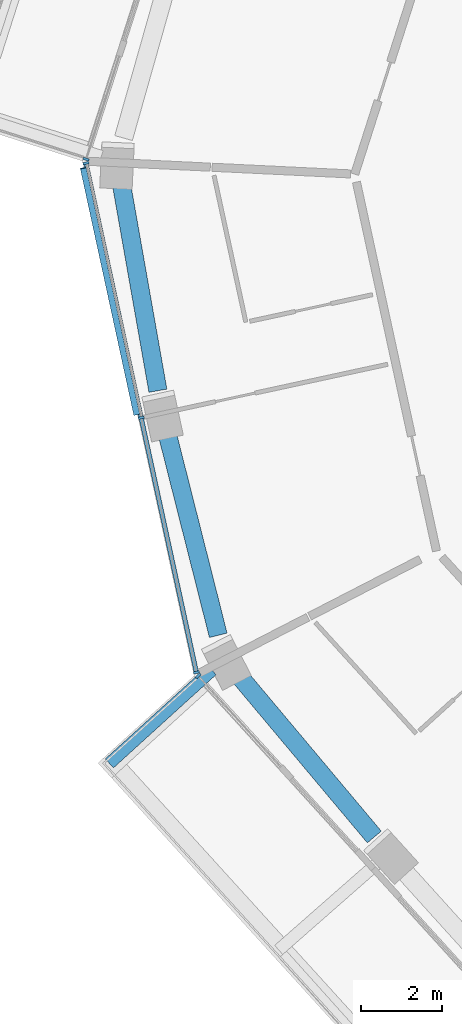
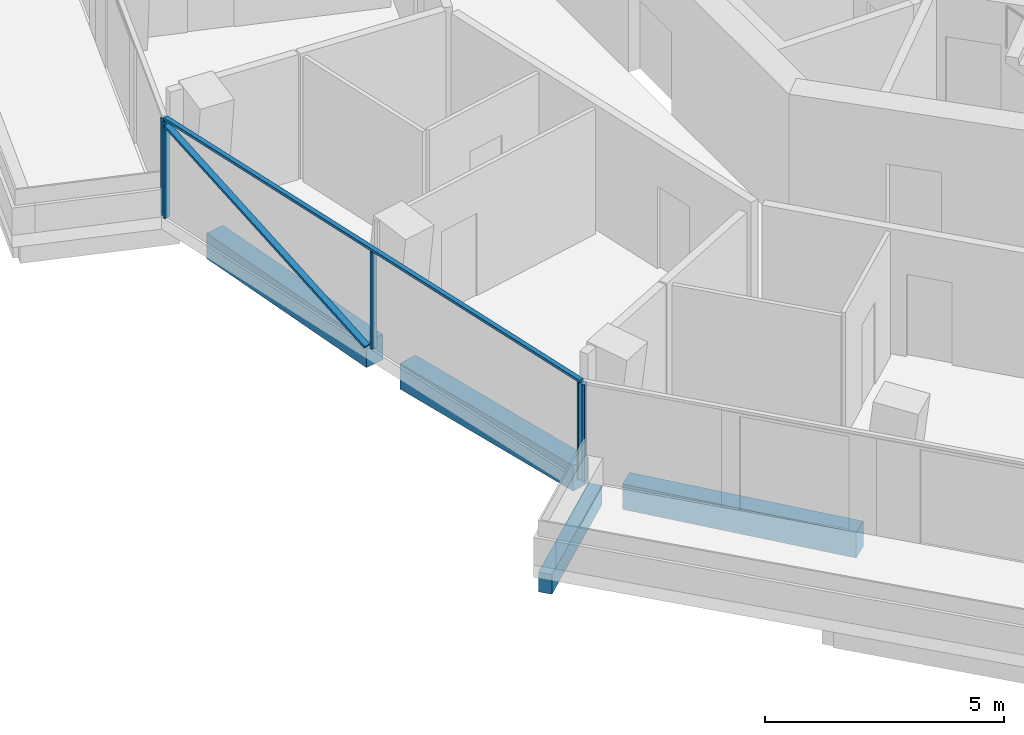
# One storey, part 3 of 23: 7 members, 4 beams, 3 elements without a shape of their own.
"""IFC4 building model written with IfcOpenShell, lengths in metres."""

from ifc_helpers import new_model, si_unit, direction, frame, origin, origin_2d, place, context, subcontext, project, spatial, rectangle, extrude, material, layer, layer_set, material_profile, profile_set, type_object, element, aggregate, save


model = new_model("IFC4")

# Units and contexts
model_context = context("Model", 3, precision=1e-05, world=origin(), true_north=direction((0.0, 1.0)))
body_context = subcontext(model_context, "Body", "Model", "MODEL_VIEW")
ifc_project = project(units=[si_unit("LENGTHUNIT", "METRE"), si_unit("AREAUNIT", "SQUARE_METRE"), si_unit("VOLUMEUNIT", "CUBIC_METRE"), si_unit("PLANEANGLEUNIT", "RADIAN"), si_unit("MASSUNIT", "GRAM", prefix="KILO")], contexts=[model_context])

# Site, building, storey
site_placement = place(None, origin())
site = spatial("IfcSite", under=ifc_project, at=site_placement, CompositionType="ELEMENT")
building_placement = place(site_placement, origin())
building = spatial("IfcBuilding", under=site, at=building_placement, Name="Verdalira Terraces Hotel", CompositionType="ELEMENT")
storey_placement = place(building_placement, frame((0.0, 0.0, 205.5)))
storey = spatial("IfcBuildingStorey", under=building, at=storey_placement, Name="L50", CompositionType="ELEMENT", Elevation=205.5)

# Beam
ifc_material_1 = material(Name="Concrete C40", Category="concrete")
ifc_material_profile_1 = material_profile(ifc_material_1, rectangle(XDim=0.300049, YDim=0.5, at=origin_2d()), Name="RC 300X500")
ifc_profile_set_1 = profile_set([ifc_material_profile_1], Name="Concrete C40")
beam_type_1 = type_object("IfcBeamType", Name="Balcony cantilever beam RC 300X500 C40", PredefinedType="BEAM", material=ifc_profile_set_1)
beam_1_placement = place(storey_placement, frame((-21.885498, -11.356689, -0.560059), z_axis=(-0.740359694, -0.672210922, 0.0), x_axis=(0.672210922, -0.740359694, 0.0)))
element("IfcBeam", 1, at=beam_1_placement, inside=storey, type_object=beam_type_1, Name="Balcony cantilever beam R13-3", PredefinedType="BEAM", context=body_context, shape_type="SweptSolid", body=[
    extrude(rectangle(XDim=0.300049, YDim=0.5, at=origin_2d()), origin(), (0.0, 0.0, 1.0), 3.421143),
])

# Curtain wall, member
ifc_material_2 = material(Name="Clear glass", Category="glass")
ifc_layer = layer(ifc_material_2, 0.14990234375)
ifc_layer_set = layer_set([ifc_layer], Name="CW1 curtain wall")
curtain_wall_type = type_object("IfcCurtainWallType", Name="CW1 curtain wall", PredefinedType="NOTDEFINED", material=ifc_layer_set)
curtain_wall_1_placement = place(storey_placement, origin())
curtain_wall_1 = element("IfcCurtainWall", 2, at=curtain_wall_1_placement, inside=storey, type_object=curtain_wall_type, Name="CW1 curtain wall L50 edge 11", PredefinedType="NOTDEFINED")
ifc_material_3 = material(Name="Terracotta frame", Category="masonry")
ifc_material_profile_2 = material_profile(ifc_material_3, rectangle(XDim=0.060059, YDim=0.149902, at=origin_2d()), Name="MU 60x150")
ifc_profile_set_2 = profile_set([ifc_material_profile_2], Name="Terracotta frame")
member_type_1 = type_object("IfcMemberType", Name="CW1 mullion 60x150", PredefinedType="MULLION", material=ifc_profile_set_2)
member_1_placement = place(storey_placement, frame((-24.992188, 1.253174, 0.0), z_axis=(0.0, 0.0, 1.0), x_axis=(-0.305030519, -0.952342576, 0.0)))
member_1 = element("IfcMember", 3, at=member_1_placement, type_object=member_type_1, Name="CW1 mullion", PredefinedType="MULLION", context=body_context, shape_type="SweptSolid", body=[
    extrude(rectangle(XDim=0.060059, YDim=0.149902, at=origin_2d()), origin(), (0.0, 0.0, 1.0), 2.475098),
])
aggregate(curtain_wall_1, [member_1])

# Curtain wall, members
curtain_wall_2_placement = place(storey_placement, origin())
curtain_wall_2 = element("IfcCurtainWall", 4, at=curtain_wall_2_placement, inside=storey, type_object=curtain_wall_type, Name="CW1 curtain wall L50 edge 12", PredefinedType="NOTDEFINED")
member_2_placement = place(storey_placement, frame((-24.996826, 1.156494, 0.0), z_axis=(0.0, 0.0, 1.0), x_axis=(0.21200711, -0.977268124, 0.0)))
member_2 = element("IfcMember", 5, at=member_2_placement, type_object=member_type_1, Name="CW1 mullion", PredefinedType="MULLION", context=body_context, shape_type="SweptSolid", body=[
    extrude(rectangle(XDim=0.060059, YDim=0.149902, at=origin_2d()), origin(), (0.0, 0.0, 1.0), 2.475098),
])
member_3_placement = place(storey_placement, frame((-23.633545, -5.126953, 0.0), z_axis=(0.0, 0.0, 1.0), x_axis=(0.21200711, -0.977268124, 0.0)))
member_3 = element("IfcMember", 6, at=member_3_placement, type_object=member_type_1, Name="CW1 mullion", PredefinedType="MULLION", context=body_context, shape_type="SweptSolid", body=[
    extrude(rectangle(XDim=0.060059, YDim=0.149902, at=origin_2d()), origin(), (0.0, 0.0, 1.0), 2.475098),
])
member_4_placement = place(storey_placement, frame((-22.270508, -11.410645, 0.0), z_axis=(0.0, 0.0, 1.0), x_axis=(0.21200711, -0.977268124, 0.0)))
member_4 = element("IfcMember", 7, at=member_4_placement, type_object=member_type_1, Name="CW1 mullion", PredefinedType="MULLION", context=body_context, shape_type="SweptSolid", body=[
    extrude(rectangle(XDim=0.060059, YDim=0.149902, at=origin_2d()), origin(), (0.0, 0.0, 1.0), 2.475098),
])

# Curtain wall, member
curtain_wall_3_placement = place(storey_placement, origin())
curtain_wall_3 = element("IfcCurtainWall", 8, at=curtain_wall_3_placement, inside=storey, type_object=curtain_wall_type, Name="CW1 curtain wall L50 edge 13", PredefinedType="NOTDEFINED")
member_5_placement = place(storey_placement, frame((-22.226074, -11.496826, 0.0), z_axis=(0.0, 0.0, 1.0), x_axis=(0.672237605, -0.740335466, 0.0)))
member_5 = element("IfcMember", 9, at=member_5_placement, type_object=member_type_1, Name="CW1 mullion", PredefinedType="MULLION", context=body_context, shape_type="SweptSolid", body=[
    extrude(rectangle(XDim=0.060059, YDim=0.149902, at=origin_2d()), origin(), (0.0, 0.0, 1.0), 2.475098),
])
aggregate(curtain_wall_3, [member_5])

# Member
ifc_material_4 = material(Name="Terracotta frame", Category="masonry")
ifc_material_profile_3 = material_profile(ifc_material_4, rectangle(XDim=0.110107, YDim=0.064941, at=origin_2d()), Name="TR 65x110")
ifc_profile_set_3 = profile_set([ifc_material_profile_3], Name="Terracotta frame")
member_type_2 = type_object("IfcMemberType", Name="CW1 transom 65x110", PredefinedType="USERDEFINED", material=ifc_profile_set_3)
member_6_placement = place(storey_placement, frame((-25.003174, 1.186035, 2.507568), z_axis=(0.212003627, -0.977268879, 0.0), x_axis=(0.977268879, 0.212003627, 0.0)))
member_6 = element("IfcMember", 10, at=member_6_placement, type_object=member_type_2, Name="CW1 transom", ObjectType="TRANSOM", PredefinedType="USERDEFINED", context=body_context, shape_type="SweptSolid", body=[
    extrude(rectangle(XDim=0.110107, YDim=0.064941, at=origin_2d()), origin(), (0.0, 0.0, 1.0), 12.919678),
])

ifc_material_5 = material(Name="Terracotta frame", Category="masonry")
ifc_material_profile_4 = material_profile(ifc_material_5, rectangle(XDim=0.149902, YDim=0.060059, at=origin_2d()), Name="GB 60x150")
ifc_profile_set_4 = profile_set([ifc_material_profile_4], Name="Terracotta frame")
member_type_3 = type_object("IfcMemberType", Name="Diagonal glazing bar 60x150", PredefinedType="USERDEFINED", material=ifc_profile_set_4)
member_7_placement = place(storey_placement, frame((-25.061768, 1.036377, 2.446289), z_axis=(0.197606001, -0.910933308, -0.362149661), x_axis=(0.977270464, 0.211996319, 0.0)))
member_7 = element("IfcMember", 11, at=member_7_placement, type_object=member_type_3, Name="Diagonal glazing bar", ObjectType="GLAZING BAR", PredefinedType="USERDEFINED", context=body_context, shape_type="SweptSolid", body=[
    extrude(rectangle(XDim=0.149902, YDim=0.060059, at=origin_2d()), origin(), (0.0, 0.0, 1.0), 6.675293),
])

aggregate(curtain_wall_2, [member_2, member_3, member_4, member_6, member_7])

# Beams
ifc_material_6 = material(Name="Concrete C50", Category="concrete")
ifc_material_profile_5 = material_profile(ifc_material_6, rectangle(XDim=0.449951, YDim=0.649902, at=origin_2d()), Name="RC 450X650")
ifc_profile_set_5 = profile_set([ifc_material_profile_5], Name="Concrete C50")
beam_type_2 = type_object("IfcBeamType", Name="Spandrel beam RC 450X650 C50", PredefinedType="SPANDREL", material=ifc_profile_set_5)
beam_2_placement = place(storey_placement, frame((-24.122559, 0.65332, -0.63501), z_axis=(0.173785334, -0.984783559, 0.0), x_axis=(0.984783559, 0.173785334, 0.0)))
element("IfcBeam", 12, at=beam_2_placement, inside=storey, type_object=beam_type_2, Name="Spandrel beam B06", PredefinedType="SPANDREL", context=body_context, shape_type="SweptSolid", body=[
    extrude(rectangle(XDim=0.449951, YDim=0.649902, at=origin_2d()), origin(), (0.0, 0.0, 1.0), 5.192383),
])
beam_3_placement = place(storey_placement, frame((-23.004395, -5.464844, -0.63501), z_axis=(0.245346313, -0.969435499, 0.0), x_axis=(0.969435499, 0.245346313, 0.0)))
element("IfcBeam", 13, at=beam_3_placement, inside=storey, type_object=beam_type_2, Name="Spandrel beam B07", PredefinedType="SPANDREL", context=body_context, shape_type="SweptSolid", body=[
    extrude(rectangle(XDim=0.449951, YDim=0.649902, at=origin_2d()), origin(), (0.0, 0.0, 1.0), 5.189453),
])
beam_4_placement = place(storey_placement, frame((-21.217285, -11.495361, -0.63501), z_axis=(0.64284908, -0.765992859, 0.0), x_axis=(0.765992859, 0.64284908, 0.0)))
element("IfcBeam", 14, at=beam_4_placement, inside=storey, type_object=beam_type_2, Name="Spandrel beam B08", PredefinedType="SPANDREL", context=body_context, shape_type="SweptSolid", body=[
    extrude(rectangle(XDim=0.449951, YDim=0.649902, at=origin_2d()), origin(), (0.0, 0.0, 1.0), 5.192383),
])

save(model, "model.ifc")
